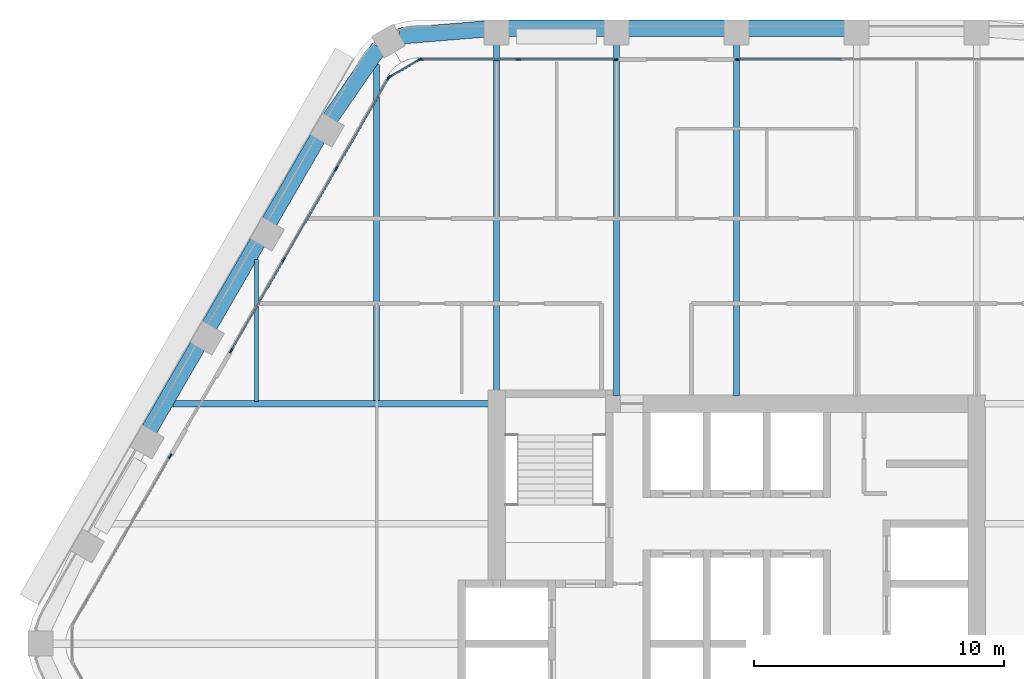
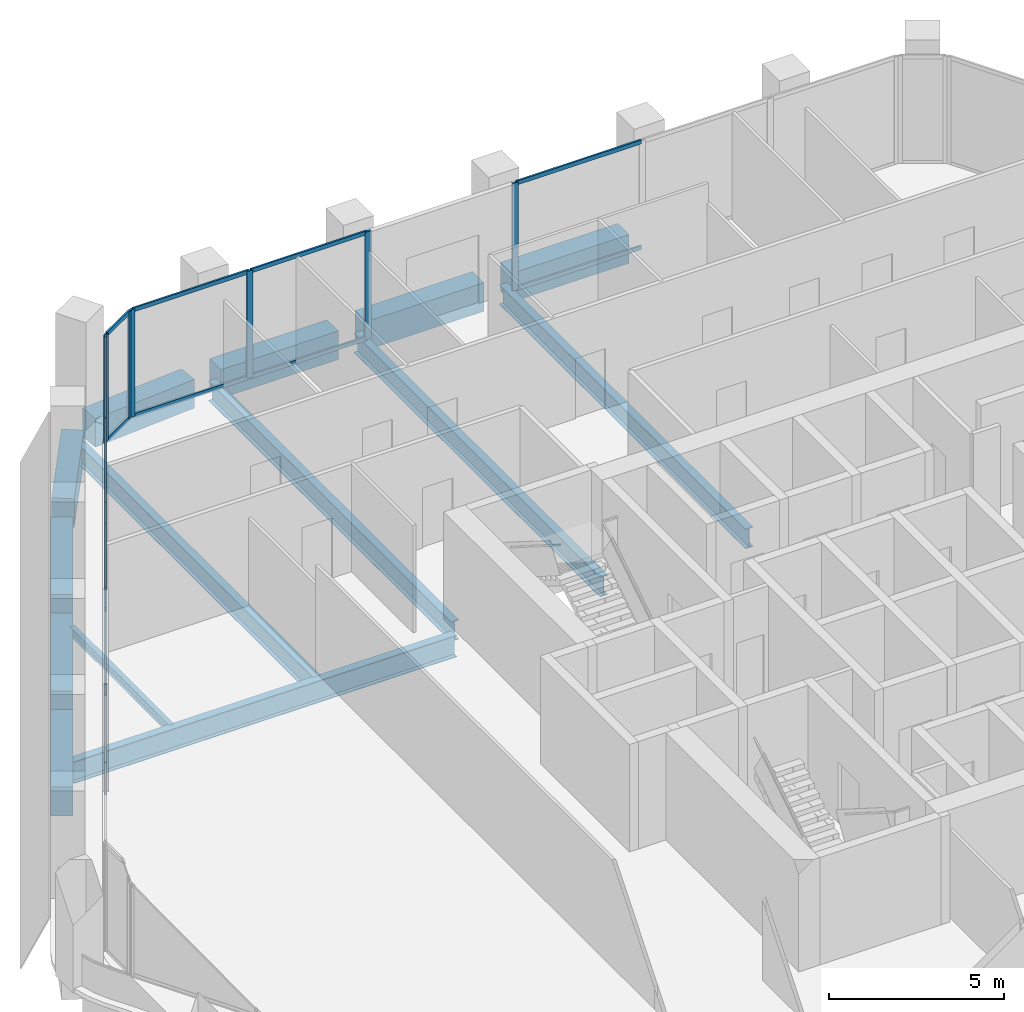
# One storey, part 5 of 15: 25 members, 14 beams, 5 elements without a shape of their own.
"""IFC4 building model written with IfcOpenShell, lengths in metres."""

from ifc_helpers import new_model, si_unit, direction, frame, origin, origin_2d, place, context, subcontext, project, spatial, rectangle, i_section, extrude, material, material_profile, profile_set, type_object, element, aggregate, save


model = new_model("IFC4")

# Units and contexts
model_context = context("Model", 3, precision=1e-05, world=origin(), true_north=direction((0.0, 1.0)))
body_context = subcontext(model_context, "Body", "Model", "MODEL_VIEW")
ifc_project = project(units=[si_unit("LENGTHUNIT", "METRE"), si_unit("AREAUNIT", "SQUARE_METRE"), si_unit("VOLUMEUNIT", "CUBIC_METRE"), si_unit("PLANEANGLEUNIT", "RADIAN"), si_unit("MASSUNIT", "GRAM", prefix="KILO")], contexts=[model_context])

# Site, building, storey
site_placement = place(None, origin())
site = spatial("IfcSite", under=ifc_project, at=site_placement, CompositionType="ELEMENT")
building_placement = place(site_placement, origin())
building = spatial("IfcBuilding", under=site, at=building_placement, Name="Kolab Exchange Tower", CompositionType="ELEMENT")
storey_placement = place(building_placement, frame((0.0, 0.0, 173.89990234375)))
storey = spatial("IfcBuildingStorey", under=building, at=storey_placement, Name="L36", CompositionType="ELEMENT", Elevation=173.89990234375)

# Beams
ifc_material_1 = material(Name="Steel S355", Category="steel")
ifc_material_profile_1 = material_profile(ifc_material_1, i_section(OverallWidth=0.1650390625, OverallDepth=0.31005859375, WebThickness=0.005859375, FlangeThickness=0.009765625, at=origin_2d()), Name="W310X39")
ifc_profile_set_1 = profile_set([ifc_material_profile_1], Name="Steel S355")
beam_type_1 = type_object("IfcBeamType", Name="FLOOR BEAM W310X39", PredefinedType="BEAM", material=ifc_profile_set_1)
beam_1_placement = place(storey_placement, frame((-19.199951171875, 9.693603515625, -0.304931640625), z_axis=(0.0, 1.0, 0.0), x_axis=(-1.0, 0.0, 0.0)))
element("IfcBeam", 1, at=beam_1_placement, inside=storey, type_object=beam_type_1, Name="beam/L36/fr/004", PredefinedType="BEAM", context=body_context, shape_type="SweptSolid", body=[
    extrude(i_section(OverallWidth=0.1650390625, OverallDepth=0.31005859375, WebThickness=0.005859375, FlangeThickness=0.009765625, at=origin_2d()), origin(), (0.0, 0.0, 1.0), 5.674072265625),
])
ifc_material_profile_2 = material_profile(ifc_material_1, i_section(OverallWidth=0.25390625, OverallDepth=0.68408203125, WebThickness=0.012451171875, FlangeThickness=0.018798828125, at=origin_2d()), Name="W690X140")
ifc_profile_set_2 = profile_set([ifc_material_profile_2], Name="Steel S355")
beam_type_2 = type_object("IfcBeamType", Name="FLOOR BEAM W690X140", PredefinedType="BEAM", material=ifc_profile_set_2)
beam_2_placement = place(storey_placement, frame((-14.39990234375, 9.693603515625, -0.491943359375), z_axis=(0.0, 1.0, 0.0), x_axis=(-1.0, 0.0, 0.0)))
element("IfcBeam", 2, at=beam_2_placement, inside=storey, type_object=beam_type_2, Name="beam/L36/fr/006", PredefinedType="BEAM", context=body_context, shape_type="SweptSolid", body=[
    extrude(i_section(OverallWidth=0.25390625, OverallDepth=0.68408203125, WebThickness=0.012451171875, FlangeThickness=0.018798828125, at=origin_2d()), origin(), (0.0, 0.0, 1.0), 13.462158203125),
])
beam_3_placement = place(storey_placement, frame((-9.60009765625, 10.110107421875, -0.491943359375), z_axis=(0.0, 1.0, 0.0), x_axis=(-1.0, 0.0, 0.0)))
element("IfcBeam", 3, at=beam_3_placement, inside=storey, type_object=beam_type_2, Name="beam/L36/fr/008", PredefinedType="BEAM", context=body_context, shape_type="SweptSolid", body=[
    extrude(i_section(OverallWidth=0.25390625, OverallDepth=0.68408203125, WebThickness=0.012451171875, FlangeThickness=0.018798828125, at=origin_2d()), origin(), (0.0, 0.0, 1.0), 13.871337890625),
])
for number, where, z_axis, x_axis, name in (
    (4, (-4.800048828125, 9.909912109375, -0.491943359375), (0.0, 1.0, 0.0), (-1.0, 0.0, 0.0), "beam/L36/fr/010"),
    (5, (0.0, 9.909912109375, -0.491943359375), (0.0, 1.0, 0.0), (-1.0, 0.0, 0.0), "beam/L36/fr/012"),
):
    element("IfcBeam", number, at=place(storey_placement, frame(where, z_axis=z_axis, x_axis=x_axis)), inside=storey, type_object=beam_type_2, Name=name, PredefinedType="BEAM", context=body_context, shape_type="SweptSolid", body=[
        extrude(i_section(OverallWidth=0.25390625, OverallDepth=0.68408203125, WebThickness=0.012451171875, FlangeThickness=0.018798828125, at=origin_2d()), origin(), (0.0, 0.0, 1.0), 14.071533203125),
    ])
ifc_material_profile_3 = material_profile(ifc_material_1, i_section(OverallWidth=0.26708984375, OverallDepth=0.761962890625, WebThickness=0.014404296875, FlangeThickness=0.021484375, at=origin_2d()), Name="W760X173")
ifc_profile_set_3 = profile_set([ifc_material_profile_3], Name="Steel S355")
beam_type_3 = type_object("IfcBeamType", Name="FLOOR GIRDER W760X173", PredefinedType="BEAM", material=ifc_profile_set_3)
beam_4_placement = place(storey_placement, frame((-22.546875, 9.60009765625, -0.531005859375), z_axis=(1.0, 0.0, 0.0), x_axis=(0.0, 1.0, 0.0)))
element("IfcBeam", 6, at=beam_4_placement, inside=storey, type_object=beam_type_3, Name="beam/L36/gd/001", PredefinedType="BEAM", context=body_context, shape_type="SweptSolid", body=[
    extrude(i_section(OverallWidth=0.26708984375, OverallDepth=0.761962890625, WebThickness=0.014404296875, FlangeThickness=0.021484375, at=origin_2d()), origin(), (0.0, 0.0, 1.0), 12.636962890625),
])
ifc_material_2 = material(Name="Concrete C60/75", Category="concrete")
ifc_material_profile_4 = material_profile(ifc_material_2, rectangle(XDim=0.64990234375, YDim=1.0, at=origin_2d()), Name="RC650X1000")
ifc_profile_set_4 = profile_set([ifc_material_profile_4], Name="Concrete C60/75")
beam_type_4 = type_object("IfcBeamType", Name="SPANDREL BEAM 650X1000 C60/75", PredefinedType="BEAM", material=ifc_profile_set_4)
beam_5_placement = place(storey_placement, frame((-13.493896484375, 24.2998046875, -0.64990234375), z_axis=(0.996708497182, 0.081068931445, 0.0), x_axis=(-0.081068931445, 0.996708497182, 0.0)))
element("IfcBeam", 7, at=beam_5_placement, inside=storey, type_object=beam_type_4, Name="beam/L36/sp/F1-01", PredefinedType="BEAM", context=body_context, shape_type="SweptSolid", body=[
    extrude(rectangle(XDim=0.64990234375, YDim=1.0, at=origin_2d()), origin(), (0.0, 0.0, 1.0), 3.445068359375),
])
beam_6_placement = place(storey_placement, frame((-9.139892578125, 24.616455078125, -0.64990234375), z_axis=(1.0, 0.0, 0.0), x_axis=(0.0, 1.0, 0.0)))
element("IfcBeam", 8, at=beam_6_placement, inside=storey, type_object=beam_type_4, Name="beam/L36/sp/F1-02", PredefinedType="BEAM", context=body_context, shape_type="SweptSolid", body=[
    extrude(rectangle(XDim=0.64990234375, YDim=1.0, at=origin_2d()), origin(), (0.0, 0.0, 1.0), 3.8798828125),
])
for number, where, z_axis, x_axis, name in (
    (9, (-4.340087890625, 24.616455078125, -0.64990234375), (1.0, 0.0, 0.0), (0.0, 1.0, 0.0), "beam/L36/sp/F1-03"),
    (10, (0.4599609375, 24.616455078125, -0.64990234375), (1.0, 0.0, 0.0), (0.0, 1.0, 0.0), "beam/L36/sp/F1-04"),
):
    element("IfcBeam", number, at=place(storey_placement, frame(where, z_axis=z_axis, x_axis=x_axis)), inside=storey, type_object=beam_type_4, Name=name, PredefinedType="BEAM", context=body_context, shape_type="SweptSolid", body=[
        extrude(rectangle(XDim=0.64990234375, YDim=1.0, at=origin_2d()), origin(), (0.0, 0.0, 1.0), 3.880126953125),
    ])
beam_7_placement = place(storey_placement, frame((-23.488525390625, 8.5498046875, -0.64990234375), z_axis=(0.499996613652, 0.866027358884, 0.0), x_axis=(-0.866027358884, 0.499996613652, 0.0)))
element("IfcBeam", 11, at=beam_7_placement, inside=storey, type_object=beam_type_4, Name="beam/L36/sp/F6-03", PredefinedType="BEAM", context=body_context, shape_type="SweptSolid", body=[
    extrude(rectangle(XDim=0.64990234375, YDim=1.0, at=origin_2d()), origin(), (0.0, 0.0, 1.0), 3.8798828125),
])
beam_8_placement = place(storey_placement, frame((-21.088623046875, 12.70654296875, -0.64990234375), z_axis=(0.50001655835, 0.866015843605, 0.0), x_axis=(-0.866015843605, 0.50001655835, 0.0)))
element("IfcBeam", 12, at=beam_8_placement, inside=storey, type_object=beam_type_4, Name="beam/L36/sp/F6-04", PredefinedType="BEAM", context=body_context, shape_type="SweptSolid", body=[
    extrude(rectangle(XDim=0.64990234375, YDim=1.0, at=origin_2d()), origin(), (0.0, 0.0, 1.0), 3.880126953125),
])
beam_9_placement = place(storey_placement, frame((-18.6884765625, 16.863525390625, -0.64990234375), z_axis=(0.499996613652, 0.866027358884, 0.0), x_axis=(-0.866027358884, 0.499996613652, 0.0)))
element("IfcBeam", 13, at=beam_9_placement, inside=storey, type_object=beam_type_4, Name="beam/L36/sp/F6-05", PredefinedType="BEAM", context=body_context, shape_type="SweptSolid", body=[
    extrude(rectangle(XDim=0.64990234375, YDim=1.0, at=origin_2d()), origin(), (0.0, 0.0, 1.0), 3.8798828125),
])
beam_10_placement = place(storey_placement, frame((-16.256103515625, 21.001953125, -0.64990234375), z_axis=(0.568572281073, 0.822633309073, 0.0), x_axis=(-0.822633309073, 0.568572281073, 0.0)))
element("IfcBeam", 14, at=beam_10_placement, inside=storey, type_object=beam_type_4, Name="beam/L36/sp/F6-06", PredefinedType="BEAM", context=body_context, shape_type="SweptSolid", body=[
    extrude(rectangle(XDim=0.64990234375, YDim=1.0, at=origin_2d()), origin(), (0.0, 0.0, 1.0), 3.445068359375),
])

# Curtain wall, members
ifc_material_3 = material(Name="Aluminium EN AW-6063 T6", Category="aluminium")
curtain_wall_type = type_object("IfcCurtainWallType", Name="UNITISED UPPER MID ZONE CURTAIN WALL", PredefinedType="NOTDEFINED", material=ifc_material_3)
curtain_wall_1_placement = place(storey_placement, origin())
curtain_wall_1 = element("IfcCurtainWall", 15, at=curtain_wall_1_placement, inside=storey, type_object=curtain_wall_type, Name="cw/L36/F1-1", PredefinedType="NOTDEFINED")
ifc_material_profile_5 = material_profile(ifc_material_3, rectangle(XDim=0.06005859375, YDim=0.199951171875, at=origin_2d()), Name="RECT 60X200")
ifc_profile_set_5 = profile_set([ifc_material_profile_5], Name="Aluminium EN AW-6063 T6")
member_type_1 = type_object("IfcMemberType", Name="UNITISED UPPER MID ZONE MULLION 60 X 200", PredefinedType="MULLION", material=ifc_profile_set_5)
member_1_placement = place(storey_placement, frame((-12.637939453125, 23.361572265625, 0.0), z_axis=(0.0, 0.0, 1.0), x_axis=(0.0, 1.0, 0.0)))
member_1 = element("IfcMember", 16, at=member_1_placement, type_object=member_type_1, Name="CW3 mullion 1", PredefinedType="MULLION", context=body_context, shape_type="SweptSolid", body=[
    extrude(rectangle(XDim=0.06005859375, YDim=0.199951171875, at=origin_2d()), origin(), (0.0, 0.0, 1.0), 3.75),
])
member_2_placement = place(storey_placement, frame((-8.73388671875, 23.361572265625, 0.0), z_axis=(0.0, 0.0, 1.0), x_axis=(0.0, 1.0, 0.0)))
member_2 = element("IfcMember", 17, at=member_2_placement, type_object=member_type_1, Name="CW3 mullion 2", PredefinedType="MULLION", context=body_context, shape_type="SweptSolid", body=[
    extrude(rectangle(XDim=0.06005859375, YDim=0.199951171875, at=origin_2d()), origin(), (0.0, 0.0, 1.0), 3.75),
])
member_3_placement = place(storey_placement, frame((-4.830078125, 23.361572265625, 0.0), z_axis=(0.0, 0.0, 1.0), x_axis=(0.0, 1.0, 0.0)))
member_3 = element("IfcMember", 18, at=member_3_placement, type_object=member_type_1, Name="CW3 mullion 3", PredefinedType="MULLION", context=body_context, shape_type="SweptSolid", body=[
    extrude(rectangle(XDim=0.06005859375, YDim=0.199951171875, at=origin_2d()), origin(), (0.0, 0.0, 1.0), 3.75),
])

# Curtain wall, member
curtain_wall_2_placement = place(storey_placement, origin())
curtain_wall_2 = element("IfcCurtainWall", 19, at=curtain_wall_2_placement, inside=storey, type_object=curtain_wall_type, Name="cw/L36/F1-2", PredefinedType="NOTDEFINED")
member_4_placement = place(storey_placement, frame((0.030029296875, 23.361572265625, 0.0), z_axis=(0.0, 0.0, 1.0), x_axis=(0.0, 1.0, 0.0)))
member_4 = element("IfcMember", 20, at=member_4_placement, type_object=member_type_1, Name="CW3 mullion 1", PredefinedType="MULLION", context=body_context, shape_type="SweptSolid", body=[
    extrude(rectangle(XDim=0.06005859375, YDim=0.199951171875, at=origin_2d()), origin(), (0.0, 0.0, 1.0), 3.75),
])

curtain_wall_3_placement = place(storey_placement, origin())
curtain_wall_3 = element("IfcCurtainWall", 21, at=curtain_wall_3_placement, inside=storey, type_object=curtain_wall_type, Name="cw/L36/F6-1", PredefinedType="NOTDEFINED")
member_5_placement = place(storey_placement, frame((-22.646728515625, 7.497802734375, 0.0), z_axis=(0.0, 0.0, 1.0), x_axis=(-0.866025440524, 0.499999936366, 0.0)))
member_5 = element("IfcMember", 22, at=member_5_placement, type_object=member_type_1, Name="CW3 mullion 3", PredefinedType="MULLION", context=body_context, shape_type="SweptSolid", body=[
    extrude(rectangle(XDim=0.06005859375, YDim=0.199951171875, at=origin_2d()), origin(), (0.0, 0.0, 1.0), 3.75),
])
aggregate(curtain_wall_3, [member_5])

# Curtain wall, members
curtain_wall_4_placement = place(storey_placement, origin())
curtain_wall_4 = element("IfcCurtainWall", 23, at=curtain_wall_4_placement, inside=storey, type_object=curtain_wall_type, Name="cw/L36/F6-2", PredefinedType="NOTDEFINED")
member_6_placement = place(storey_placement, frame((-20.216796875, 11.706787109375, 0.0), z_axis=(0.0, 0.0, 1.0), x_axis=(-0.866025393644, 0.500000017564, 0.0)))
member_6 = element("IfcMember", 24, at=member_6_placement, type_object=member_type_1, Name="CW3 mullion 1", PredefinedType="MULLION", context=body_context, shape_type="SweptSolid", body=[
    extrude(rectangle(XDim=0.06005859375, YDim=0.199951171875, at=origin_2d()), origin(), (0.0, 0.0, 1.0), 3.75),
])
member_7_placement = place(storey_placement, frame((-18.120361328125, 15.337646484375, 0.0), z_axis=(0.0, 0.0, 1.0), x_axis=(-0.866025393644, 0.500000017564, 0.0)))
member_7 = element("IfcMember", 25, at=member_7_placement, type_object=member_type_1, Name="CW3 mullion 2", PredefinedType="MULLION", context=body_context, shape_type="SweptSolid", body=[
    extrude(rectangle(XDim=0.06005859375, YDim=0.199951171875, at=origin_2d()), origin(), (0.0, 0.0, 1.0), 3.75),
])
member_8_placement = place(storey_placement, frame((-16.009033203125, 18.99462890625, 0.0), z_axis=(0.0, 0.0, 1.0), x_axis=(-0.866025393644, 0.500000017564, 0.0)))
member_8 = element("IfcMember", 26, at=member_8_placement, type_object=member_type_1, Name="CW3 mullion 3", PredefinedType="MULLION", context=body_context, shape_type="SweptSolid", body=[
    extrude(rectangle(XDim=0.06005859375, YDim=0.199951171875, at=origin_2d()), origin(), (0.0, 0.0, 1.0), 3.75),
])
member_9_placement = place(storey_placement, frame((-13.91259765625, 22.62548828125, 0.0), z_axis=(0.0, 0.0, 1.0), x_axis=(-0.866025393644, 0.500000017564, 0.0)))
member_9 = element("IfcMember", 27, at=member_9_placement, type_object=member_type_1, Name="CW3 mullion 4", PredefinedType="MULLION", context=body_context, shape_type="SweptSolid", body=[
    extrude(rectangle(XDim=0.06005859375, YDim=0.199951171875, at=origin_2d()), origin(), (0.0, 0.0, 1.0), 3.75),
])

curtain_wall_5_placement = place(storey_placement, origin())
curtain_wall_5 = element("IfcCurtainWall", 28, at=curtain_wall_5_placement, inside=storey, type_object=curtain_wall_type, Name="cw/L36/F6F1-corner", PredefinedType="NOTDEFINED")
member_10_placement = place(storey_placement, frame((-13.871826171875, 22.66650390625, 0.0), z_axis=(0.0, 0.0, 1.0), x_axis=(-0.50000002237, 0.866025390869, 0.0)))
member_10 = element("IfcMember", 29, at=member_10_placement, type_object=member_type_1, Name="CW3 mullion 1", PredefinedType="MULLION", context=body_context, shape_type="SweptSolid", body=[
    extrude(rectangle(XDim=0.06005859375, YDim=0.199951171875, at=origin_2d()), origin(), (0.0, 0.0, 1.0), 3.75),
])
member_11_placement = place(storey_placement, frame((-12.69384765625, 23.346435546875, 0.0), z_axis=(0.0, 0.0, 1.0), x_axis=(-0.50000002237, 0.866025390869, 0.0)))
member_11 = element("IfcMember", 30, at=member_11_placement, type_object=member_type_1, Name="CW3 mullion 2", PredefinedType="MULLION", context=body_context, shape_type="SweptSolid", body=[
    extrude(rectangle(XDim=0.06005859375, YDim=0.199951171875, at=origin_2d()), origin(), (0.0, 0.0, 1.0), 3.75),
])

# Member
ifc_material_profile_6 = material_profile(ifc_material_3, rectangle(XDim=0.06005859375, YDim=0.139892578125, at=origin_2d()), Name="RECT 60X140")
ifc_profile_set_6 = profile_set([ifc_material_profile_6], Name="Aluminium EN AW-6063 T6")
member_type_2 = type_object("IfcMemberType", Name="UNITISED UPPER MID ZONE TRANSOM 60 X 140", PredefinedType="USERDEFINED", material=ifc_profile_set_6)
member_12_placement = place(storey_placement, frame((-12.60791015625, 23.361572265625, 0.030029296875), z_axis=(1.0, 0.0, 0.0), x_axis=(0.0, 1.0, 0.0)))
member_12 = element("IfcMember", 31, at=member_12_placement, type_object=member_type_2, Name="CW3 transom 1.1", ObjectType="TRANSOM", PredefinedType="USERDEFINED", context=body_context, shape_type="SweptSolid", body=[
    extrude(rectangle(XDim=0.06005859375, YDim=0.139892578125, at=origin_2d()), origin(), (0.0, 0.0, 1.0), 3.843994140625),
])

member_13_placement = place(storey_placement, frame((-12.60791015625, 23.361572265625, 3.72021484375), z_axis=(1.0, 0.0, 0.0), x_axis=(0.0, 1.0, 0.0)))
member_13 = element("IfcMember", 32, at=member_13_placement, type_object=member_type_2, Name="CW3 transom 1.2", ObjectType="TRANSOM", PredefinedType="USERDEFINED", context=body_context, shape_type="SweptSolid", body=[
    extrude(rectangle(XDim=0.06005859375, YDim=0.139892578125, at=origin_2d()), origin(), (0.0, 0.0, 1.0), 3.843994140625),
])

member_14_placement = place(storey_placement, frame((-8.703857421875, 23.361572265625, 0.030029296875), z_axis=(1.0, 0.0, 0.0), x_axis=(0.0, 1.0, 0.0)))
member_14 = element("IfcMember", 33, at=member_14_placement, type_object=member_type_2, Name="CW3 transom 2.1", ObjectType="TRANSOM", PredefinedType="USERDEFINED", context=body_context, shape_type="SweptSolid", body=[
    extrude(rectangle(XDim=0.06005859375, YDim=0.139892578125, at=origin_2d()), origin(), (0.0, 0.0, 1.0), 3.84375),
])

member_15_placement = place(storey_placement, frame((-8.703857421875, 23.361572265625, 3.72021484375), z_axis=(1.0, 0.0, 0.0), x_axis=(0.0, 1.0, 0.0)))
member_15 = element("IfcMember", 34, at=member_15_placement, type_object=member_type_2, Name="CW3 transom 2.2", ObjectType="TRANSOM", PredefinedType="USERDEFINED", context=body_context, shape_type="SweptSolid", body=[
    extrude(rectangle(XDim=0.06005859375, YDim=0.139892578125, at=origin_2d()), origin(), (0.0, 0.0, 1.0), 3.84375),
])

aggregate(curtain_wall_1, [member_1, member_2, member_3, member_12, member_13, member_14, member_15])

member_16_placement = place(storey_placement, frame((0.06005859375, 23.361572265625, 0.030029296875), z_axis=(1.0, 0.0, 0.0), x_axis=(0.0, 1.0, 0.0)))
member_16 = element("IfcMember", 35, at=member_16_placement, type_object=member_type_2, Name="CW3 transom 1.1", ObjectType="TRANSOM", PredefinedType="USERDEFINED", context=body_context, shape_type="SweptSolid", body=[
    extrude(rectangle(XDim=0.06005859375, YDim=0.139892578125, at=origin_2d()), origin(), (0.0, 0.0, 1.0), 4.132568359375),
])

member_17_placement = place(storey_placement, frame((0.06005859375, 23.361572265625, 3.72021484375), z_axis=(1.0, 0.0, 0.0), x_axis=(0.0, 1.0, 0.0)))
member_17 = element("IfcMember", 36, at=member_17_placement, type_object=member_type_2, Name="CW3 transom 1.2", ObjectType="TRANSOM", PredefinedType="USERDEFINED", context=body_context, shape_type="SweptSolid", body=[
    extrude(rectangle(XDim=0.06005859375, YDim=0.139892578125, at=origin_2d()), origin(), (0.0, 0.0, 1.0), 4.132568359375),
])

aggregate(curtain_wall_2, [member_4, member_16, member_17])

member_18_placement = place(storey_placement, frame((-20.20166015625, 11.732666015625, 0.030029296875), z_axis=(0.500001996123, 0.866024251319, 0.0), x_axis=(-0.866024251319, 0.500001996123, 0.0)))
member_18 = element("IfcMember", 37, at=member_18_placement, type_object=member_type_2, Name="CW3 transom 1.1", ObjectType="TRANSOM", PredefinedType="USERDEFINED", context=body_context, shape_type="SweptSolid", body=[
    extrude(rectangle(XDim=0.06005859375, YDim=0.139892578125, at=origin_2d()), origin(), (0.0, 0.0, 1.0), 4.1328125),
])

member_19_placement = place(storey_placement, frame((-20.20166015625, 11.732666015625, 3.72021484375), z_axis=(0.500001996123, 0.866024251319, 0.0), x_axis=(-0.866024251319, 0.500001996123, 0.0)))
member_19 = element("IfcMember", 38, at=member_19_placement, type_object=member_type_2, Name="CW3 transom 1.2", ObjectType="TRANSOM", PredefinedType="USERDEFINED", context=body_context, shape_type="SweptSolid", body=[
    extrude(rectangle(XDim=0.06005859375, YDim=0.139892578125, at=origin_2d()), origin(), (0.0, 0.0, 1.0), 4.1328125),
])

member_20_placement = place(storey_placement, frame((-18.10546875, 15.36376953125, 0.030029296875), z_axis=(0.500037208726, 0.86600392025, 0.0), x_axis=(-0.86600392025, 0.500037208726, 0.0)))
member_20 = element("IfcMember", 39, at=member_20_placement, type_object=member_type_2, Name="CW3 transom 2.1", ObjectType="TRANSOM", PredefinedType="USERDEFINED", context=body_context, shape_type="SweptSolid", body=[
    extrude(rectangle(XDim=0.06005859375, YDim=0.139892578125, at=origin_2d()), origin(), (0.0, 0.0, 1.0), 4.162841796875),
])

member_21_placement = place(storey_placement, frame((-18.10546875, 15.36376953125, 3.72021484375), z_axis=(0.500037208726, 0.86600392025, 0.0), x_axis=(-0.86600392025, 0.500037208726, 0.0)))
member_21 = element("IfcMember", 40, at=member_21_placement, type_object=member_type_2, Name="CW3 transom 2.2", ObjectType="TRANSOM", PredefinedType="USERDEFINED", context=body_context, shape_type="SweptSolid", body=[
    extrude(rectangle(XDim=0.06005859375, YDim=0.139892578125, at=origin_2d()), origin(), (0.0, 0.0, 1.0), 4.162841796875),
])

member_22_placement = place(storey_placement, frame((-15.994140625, 19.0205078125, 0.030029296875), z_axis=(0.500001996123, 0.866024251319, 0.0), x_axis=(-0.866024251319, 0.500001996123, 0.0)))
member_22 = element("IfcMember", 41, at=member_22_placement, type_object=member_type_2, Name="CW3 transom 3.1", ObjectType="TRANSOM", PredefinedType="USERDEFINED", context=body_context, shape_type="SweptSolid", body=[
    extrude(rectangle(XDim=0.06005859375, YDim=0.139892578125, at=origin_2d()), origin(), (0.0, 0.0, 1.0), 4.1328125),
])

member_23_placement = place(storey_placement, frame((-15.994140625, 19.0205078125, 3.72021484375), z_axis=(0.500001996123, 0.866024251319, 0.0), x_axis=(-0.866024251319, 0.500001996123, 0.0)))
member_23 = element("IfcMember", 42, at=member_23_placement, type_object=member_type_2, Name="CW3 transom 3.2", ObjectType="TRANSOM", PredefinedType="USERDEFINED", context=body_context, shape_type="SweptSolid", body=[
    extrude(rectangle(XDim=0.06005859375, YDim=0.139892578125, at=origin_2d()), origin(), (0.0, 0.0, 1.0), 4.1328125),
])

aggregate(curtain_wall_4, [member_6, member_7, member_8, member_9, member_18, member_19, member_20, member_21, member_22, member_23])

member_24_placement = place(storey_placement, frame((-13.845703125, 22.681640625, 0.030029296875), z_axis=(0.86603858612, 0.49997716683, 0.0), x_axis=(-0.49997716683, 0.86603858612, 0.0)))
member_24 = element("IfcMember", 43, at=member_24_placement, type_object=member_type_2, Name="CW3 transom 1.1", ObjectType="TRANSOM", PredefinedType="USERDEFINED", context=body_context, shape_type="SweptSolid", body=[
    extrude(rectangle(XDim=0.06005859375, YDim=0.139892578125, at=origin_2d()), origin(), (0.0, 0.0, 1.0), 1.2998046875),
])

member_25_placement = place(storey_placement, frame((-13.845703125, 22.681640625, 3.72021484375), z_axis=(0.86603858612, 0.49997716683, 0.0), x_axis=(-0.49997716683, 0.86603858612, 0.0)))
member_25 = element("IfcMember", 44, at=member_25_placement, type_object=member_type_2, Name="CW3 transom 1.2", ObjectType="TRANSOM", PredefinedType="USERDEFINED", context=body_context, shape_type="SweptSolid", body=[
    extrude(rectangle(XDim=0.06005859375, YDim=0.139892578125, at=origin_2d()), origin(), (0.0, 0.0, 1.0), 1.2998046875),
])

aggregate(curtain_wall_5, [member_10, member_11, member_24, member_25])

save(model, "model.ifc")
